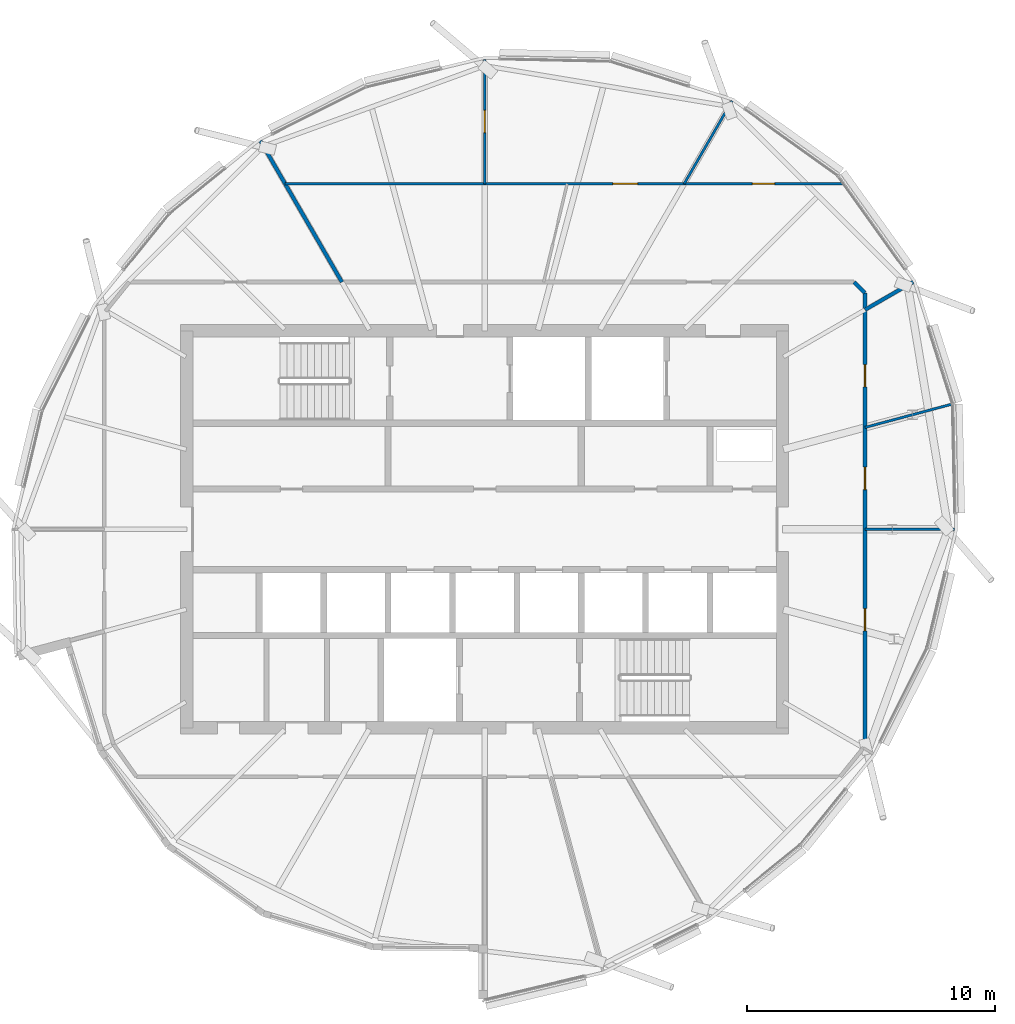
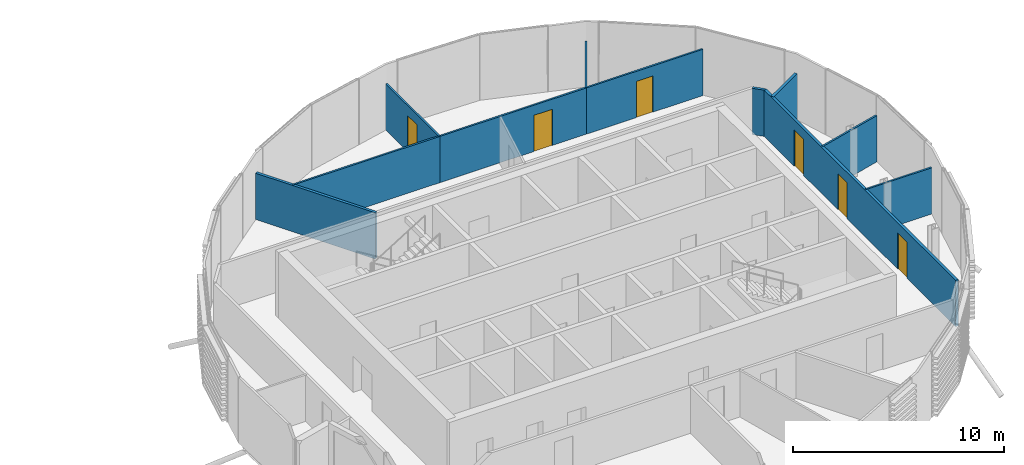
# One storey, part 21 of 34: 11 walls, 6 doors, 6 openings.
"""IFC4 building model written with IfcOpenShell, lengths in metres."""

from ifc_helpers import new_model, si_unit, direction, frame, frame_2d, origin, place, context, subcontext, project, spatial, rectangle, extrude, material, layer, layer_set, type_object, element, fill, save


model = new_model("IFC4")

# Units and contexts
model_context = context("Model", 3, precision=1e-05, world=origin(), true_north=direction((0.0, 1.0)))
body_context = subcontext(model_context, "Body", "Model", "MODEL_VIEW")
ifc_project = project(units=[si_unit("LENGTHUNIT", "METRE"), si_unit("AREAUNIT", "SQUARE_METRE"), si_unit("VOLUMEUNIT", "CUBIC_METRE"), si_unit("PLANEANGLEUNIT", "RADIAN"), si_unit("MASSUNIT", "GRAM", prefix="KILO")], contexts=[model_context])

# Site, building, storey
site_placement = place(None, origin())
site = spatial("IfcSite", under=ifc_project, at=site_placement, CompositionType="ELEMENT")
building_placement = place(site_placement, origin())
building = spatial("IfcBuilding", under=site, at=building_placement, Name="Rimbun Link Towers", CompositionType="ELEMENT")
storey_placement = place(building_placement, frame((0.0, 0.0, 252.300048828125)))
storey = spatial("IfcBuildingStorey", under=building, at=storey_placement, Name="L62", CompositionType="ELEMENT", Elevation=252.300048828125)

# Wall
ifc_material_1 = material(Name="Plasterboard on steel stud, mineral wool", Category="steel")
ifc_layer_1 = layer(ifc_material_1, 0.14990234375)
ifc_layer_set_1 = layer_set([ifc_layer_1], Name="Corridor wall EI 30 150 mm")
wall_type_1 = type_object("IfcWallType", Name="Corridor wall EI 30 150 mm", PredefinedType="PARTITIONING", material=ifc_layer_set_1)
wall_1_placement = place(storey_placement, frame((47.074951171875, 9.523681640625, 0.0), z_axis=(0.0, 0.0, 1.0), x_axis=(-0.706911150604, 0.70730235766, 0.0)))
element("IfcWall", 1, at=wall_1_placement, inside=storey, type_object=wall_type_1, Name="Corridor wall EI 30 150 mm", PredefinedType="PARTITIONING", context=body_context, shape_type="SweptSolid", body=[
    extrude(rectangle(XDim=0.6240234375, YDim=0.14990234375, at=frame_2d((0.31201171875, 0.0))), origin(), (0.0, 0.0, 1.0), 2.681884765625),
])

# Wall, openings, doors
wall_2_placement = place(storey_placement, frame((47.074951171875, 9.523681640625, 0.0), z_axis=(0.0, 0.0, 1.0), x_axis=(0.0, -1.0, 0.0)))
wall_2 = element("IfcWall", 2, at=wall_2_placement, inside=storey, type_object=wall_type_1, Name="Corridor wall EI 30 150 mm", PredefinedType="PARTITIONING", context=body_context, shape_type="SweptSolid", body=[
    extrude(rectangle(XDim=18.2158203125, YDim=0.14990234375, at=frame_2d((9.10791015625, 0.0))), origin(), (0.0, 0.0, 1.0), 2.681884765625),
])
opening_1_placement = place(wall_2_placement, frame((12.713623046875, 0.0, 0.0)))
opening_1 = element("IfcOpeningElement", 3, at=opening_1_placement, cuts=wall_2, Name="Opening D02", PredefinedType="OPENING", context=body_context, shape_type="SweptSolid", body=[
    extrude(rectangle(XDim=0.89990234375, YDim=2.10009765625, at=frame_2d((0.449951171875, 1.050048828125))), frame((0.0, 0.0849609375, 0.0), z_axis=(0.0, -1.0, 0.0), x_axis=(1.0, 0.0, 0.0)), (0.0, 0.0, 1.0), 0.169921875),
])
opening_2_placement = place(wall_2_placement, frame((7.0205078125, 0.0, 0.0)))
opening_2 = element("IfcOpeningElement", 4, at=opening_2_placement, cuts=wall_2, Name="Opening D02", PredefinedType="OPENING", context=body_context, shape_type="SweptSolid", body=[
    extrude(rectangle(XDim=0.89990234375, YDim=2.10009765625, at=frame_2d((0.449951171875, 1.050048828125))), frame((0.0, 0.0849609375, 0.0), z_axis=(0.0, -1.0, 0.0), x_axis=(1.0, 0.0, 0.0)), (0.0, 0.0, 1.0), 0.169921875),
])
opening_3_placement = place(wall_2_placement, frame((2.880615234375, 0.0, 0.0)))
opening_3 = element("IfcOpeningElement", 5, at=opening_3_placement, cuts=wall_2, Name="Opening D02", PredefinedType="OPENING", context=body_context, shape_type="SweptSolid", body=[
    extrude(rectangle(XDim=0.89990234375, YDim=2.10009765625, at=frame_2d((0.449951171875, 1.050048828125))), frame((0.0, 0.0849609375, 0.0), z_axis=(0.0, -1.0, 0.0), x_axis=(1.0, 0.0, 0.0)), (0.0, 0.0, 1.0), 0.169921875),
])
ifc_material_2 = material(Name="Fire-resisting timber door leaf", Category="wood")
door_type_1 = type_object("IfcDoorType", Name="Fire door FD30S 900", OperationType="NOTDEFINED", PredefinedType="DOOR", material=ifc_material_2)
door_1_placement = place(opening_1_placement, origin())
door_1 = element("IfcDoor", 6, at=door_1_placement, inside=storey, type_object=door_type_1, Name="Fire door FD30S 900 to Print room", OperationType="SINGLE_SWING_RIGHT", OverallHeight=2.10009765625, OverallWidth=0.89990234375, PredefinedType="DOOR", context=body_context, shape_type="SweptSolid", body=[
    extrude(rectangle(XDim=0.89990234375, YDim=2.10009765625, at=frame_2d((0.449951171875, 1.050048828125))), frame((0.0, 0.02490234375, 0.0), z_axis=(0.0, -1.0, 0.0), x_axis=(1.0, 0.0, 0.0)), (0.0, 0.0, 1.0), 0.050048828125),
])
fill(opening_1, door_1)
door_2_placement = place(opening_2_placement, origin())
door_2 = element("IfcDoor", 7, at=door_2_placement, inside=storey, type_object=door_type_1, Name="Fire door FD30S 900 to Open office", OperationType="SINGLE_SWING_LEFT", OverallHeight=2.10009765625, OverallWidth=0.89990234375, PredefinedType="DOOR", context=body_context, shape_type="SweptSolid", body=[
    extrude(rectangle(XDim=0.89990234375, YDim=2.10009765625, at=frame_2d((0.449951171875, 1.050048828125))), frame((0.0, 0.02490234375, 0.0), z_axis=(0.0, -1.0, 0.0), x_axis=(1.0, 0.0, 0.0)), (0.0, 0.0, 1.0), 0.050048828125),
])
fill(opening_2, door_2)
door_3_placement = place(opening_3_placement, origin())
door_3 = element("IfcDoor", 8, at=door_3_placement, inside=storey, type_object=door_type_1, Name="Fire door FD30S 900 to Meeting room", OperationType="SINGLE_SWING_RIGHT", OverallHeight=2.10009765625, OverallWidth=0.89990234375, PredefinedType="DOOR", context=body_context, shape_type="SweptSolid", body=[
    extrude(rectangle(XDim=0.89990234375, YDim=2.10009765625, at=frame_2d((0.449951171875, 1.050048828125))), frame((0.0, 0.02490234375, 0.0), z_axis=(0.0, -1.0, 0.0), x_axis=(1.0, 0.0, 0.0)), (0.0, 0.0, 1.0), 0.050048828125),
])
fill(opening_3, door_3)

# Walls
ifc_material_3 = material(Name="Plasterboard on steel stud", Category="steel")
ifc_layer_2 = layer(ifc_material_3, 0.10009765625)
ifc_layer_set_2 = layer_set([ifc_layer_2], Name="Plasterboard partition 100 mm")
wall_type_2 = type_object("IfcWallType", Name="Plasterboard partition 100 mm", PredefinedType="PARTITIONING", material=ifc_layer_set_2)
wall_3_placement = place(storey_placement, frame((50.689208984375, 0.0, 0.0), z_axis=(0.0, 0.0, 1.0), x_axis=(-1.0, 0.0, 0.0)))
element("IfcWall", 9, at=wall_3_placement, inside=storey, type_object=wall_type_2, Name="Plasterboard partition 100 mm", PredefinedType="PARTITIONING", context=body_context, shape_type="SweptSolid", body=[
    extrude(rectangle(XDim=3.6142578125, YDim=0.10009765625, at=frame_2d((1.80712890625, 0.0))), origin(), (0.0, 0.0, 1.0), 2.681884765625),
])
wall_4_placement = place(storey_placement, frame((50.5830078125, 5.04638671875, 0.0), z_axis=(0.0, 0.0, 1.0), x_axis=(-0.965928547864, -0.258808887833, 0.0)))
element("IfcWall", 10, at=wall_4_placement, inside=storey, type_object=wall_type_2, Name="Plasterboard partition 100 mm", PredefinedType="PARTITIONING", context=body_context, shape_type="SweptSolid", body=[
    extrude(rectangle(XDim=3.6318359375, YDim=0.10009765625, at=frame_2d((1.81591796875, 0.0))), origin(), (0.0, 0.0, 1.0), 2.681884765625),
])

# Wall, opening, door
wall_5_placement = place(storey_placement, frame((39.78955078125, 13.925048828125, 0.0), z_axis=(0.0, 0.0, 1.0), x_axis=(1.0, 0.0, 0.0)))
wall_5 = element("IfcWall", 11, at=wall_5_placement, inside=storey, type_object=wall_type_2, Name="Plasterboard partition 100 mm", PredefinedType="PARTITIONING", context=body_context, shape_type="SweptSolid", body=[
    extrude(rectangle(XDim=6.38916015625, YDim=0.10009765625, at=frame_2d((3.194580078125, 0.0))), origin(), (0.0, 0.0, 1.0), 2.681884765625),
])
opening_4_placement = place(wall_5_placement, frame((2.74462890625, 0.0, 0.0)))
opening_4 = element("IfcOpeningElement", 12, at=opening_4_placement, cuts=wall_5, Name="Opening D04", PredefinedType="OPENING", context=body_context, shape_type="SweptSolid", body=[
    extrude(rectangle(XDim=0.89990234375, YDim=2.10009765625, at=frame_2d((0.449951171875, 1.050048828125))), frame((0.0, 0.06005859375, 0.0), z_axis=(0.0, -1.0, 0.0), x_axis=(1.0, 0.0, 0.0)), (0.0, 0.0, 1.0), 0.1201171875),
])
ifc_material_4 = material(Name="Timber door leaf", Category="wood")
door_type_2 = type_object("IfcDoorType", Name="Flush door 900", OperationType="NOTDEFINED", PredefinedType="DOOR", material=ifc_material_4)
door_4_placement = place(opening_4_placement, origin())
door_4 = element("IfcDoor", 13, at=door_4_placement, inside=storey, type_object=door_type_2, Name="Flush door 900 to Executive office", OperationType="SINGLE_SWING_RIGHT", OverallHeight=2.10009765625, OverallWidth=0.89990234375, PredefinedType="DOOR", context=body_context, shape_type="SweptSolid", body=[
    extrude(rectangle(XDim=0.89990234375, YDim=2.10009765625, at=frame_2d((0.449951171875, 1.050048828125))), frame((0.0, 0.02490234375, 0.0), z_axis=(0.0, -1.0, 0.0), x_axis=(1.0, 0.0, 0.0)), (0.0, 0.0, 1.0), 0.050048828125),
])
fill(opening_4, door_4)

wall_6_placement = place(storey_placement, frame((31.75, 13.925048828125, 0.0), z_axis=(0.0, 0.0, 1.0), x_axis=(1.0, 0.0, 0.0)))
wall_6 = element("IfcWall", 14, at=wall_6_placement, inside=storey, type_object=wall_type_2, Name="Plasterboard partition 100 mm", PredefinedType="PARTITIONING", context=body_context, shape_type="SweptSolid", body=[
    extrude(rectangle(XDim=8.03955078125, YDim=0.10009765625, at=frame_2d((4.019775390625, 0.0))), origin(), (0.0, 0.0, 1.0), 2.681884765625),
])
opening_5_placement = place(wall_6_placement, frame((5.16650390625, 0.0, 0.0)))
opening_5 = element("IfcOpeningElement", 15, at=opening_5_placement, cuts=wall_6, Name="Opening D03", PredefinedType="OPENING", context=body_context, shape_type="SweptSolid", body=[
    extrude(rectangle(XDim=1.0, YDim=2.10009765625, at=frame_2d((0.5, 1.050048828125))), frame((0.0, 0.06005859375, 0.0), z_axis=(0.0, -1.0, 0.0), x_axis=(1.0, 0.0, 0.0)), (0.0, 0.0, 1.0), 0.1201171875),
])
ifc_material_5 = material(Name="Timber door leaf", Category="wood")
door_type_3 = type_object("IfcDoorType", Name="Flush door 1000", OperationType="NOTDEFINED", PredefinedType="DOOR", material=ifc_material_5)
door_5_placement = place(opening_5_placement, origin())
door_5 = element("IfcDoor", 16, at=door_5_placement, inside=storey, type_object=door_type_3, Name="Flush door 1000 to Open office", OperationType="SINGLE_SWING_LEFT", OverallHeight=2.10009765625, OverallWidth=1.0, PredefinedType="DOOR", context=body_context, shape_type="SweptSolid", body=[
    extrude(rectangle(XDim=1.0, YDim=2.10009765625, at=frame_2d((0.5, 1.050048828125))), frame((0.0, 0.02490234375, 0.0), z_axis=(0.0, -1.0, 0.0), x_axis=(1.0, 0.0, 0.0)), (0.0, 0.0, 1.0), 0.050048828125),
])
fill(opening_5, door_5)

# Walls
wall_7_placement = place(storey_placement, frame((31.75, 13.925048828125, 0.0), z_axis=(0.0, 0.0, 1.0), x_axis=(-1.0, 0.0, 0.0)))
element("IfcWall", 17, at=wall_7_placement, inside=storey, type_object=wall_type_2, Name="Plasterboard partition 100 mm", PredefinedType="PARTITIONING", context=body_context, shape_type="SweptSolid", body=[
    extrude(rectangle(XDim=8.039794921875, YDim=0.10009765625, at=frame_2d((4.02001953125, 0.0))), origin(), (0.0, 0.0, 1.0), 2.681884765625),
])
wall_8_placement = place(storey_placement, frame((41.71923828125, 17.267333984375, 0.0), z_axis=(0.0, 0.0, 1.0), x_axis=(-0.500003549559, -0.866023354436, 0.0)))
element("IfcWall", 18, at=wall_8_placement, inside=storey, type_object=wall_type_2, Name="Plasterboard partition 100 mm", PredefinedType="PARTITIONING", context=body_context, shape_type="SweptSolid", body=[
    extrude(rectangle(XDim=3.859375, YDim=0.10009765625, at=frame_2d((1.9296875, 0.0))), origin(), (0.0, 0.0, 1.0), 2.681884765625),
])

# Wall, opening, door
wall_9_placement = place(storey_placement, frame((31.75, 13.925048828125, 0.0), z_axis=(0.0, 0.0, 1.0), x_axis=(0.0, 1.0, 0.0)))
wall_9 = element("IfcWall", 19, at=wall_9_placement, inside=storey, type_object=wall_type_2, Name="Plasterboard partition 100 mm", PredefinedType="PARTITIONING", context=body_context, shape_type="SweptSolid", body=[
    extrude(rectangle(XDim=5.01416015625, YDim=0.10009765625, at=frame_2d((2.507080078125, 0.0))), origin(), (0.0, 0.0, 1.0), 2.681884765625),
])
opening_6_placement = place(wall_9_placement, frame((2.05712890625, 0.0, 0.0)))
opening_6 = element("IfcOpeningElement", 20, at=opening_6_placement, cuts=wall_9, Name="Opening D04", PredefinedType="OPENING", context=body_context, shape_type="SweptSolid", body=[
    extrude(rectangle(XDim=0.89990234375, YDim=2.10009765625, at=frame_2d((0.449951171875, 1.050048828125))), frame((0.0, 0.06005859375, 0.0), z_axis=(0.0, -1.0, 0.0), x_axis=(1.0, 0.0, 0.0)), (0.0, 0.0, 1.0), 0.1201171875),
])
door_6_placement = place(opening_6_placement, origin())
door_6 = element("IfcDoor", 21, at=door_6_placement, inside=storey, type_object=door_type_2, Name="Flush door 900 to Boardroom", OperationType="SINGLE_SWING_RIGHT", OverallHeight=2.10009765625, OverallWidth=0.89990234375, PredefinedType="DOOR", context=body_context, shape_type="SweptSolid", body=[
    extrude(rectangle(XDim=0.89990234375, YDim=2.10009765625, at=frame_2d((0.449951171875, 1.050048828125))), frame((0.0, 0.02490234375, 0.0), z_axis=(0.0, -1.0, 0.0), x_axis=(1.0, 0.0, 0.0)), (0.0, 0.0, 1.0), 0.050048828125),
])
fill(opening_6, door_6)

# Walls
ifc_material_6 = material(Name="Plasterboard on steel stud, mineral wool", Category="steel")
ifc_layer_3 = layer(ifc_material_6, 0.14990234375)
ifc_layer_set_3 = layer_set([ifc_layer_3], Name="Tenancy separation wall EI 60 150 mm")
wall_type_3 = type_object("IfcWallType", Name="Tenancy separation wall EI 60 150 mm", PredefinedType="PARTITIONING", material=ifc_layer_set_3)
wall_10_placement = place(storey_placement, frame((25.99658203125, 9.965087890625, 0.0), z_axis=(0.0, 0.0, 1.0), x_axis=(-0.499995874514, 0.866027785622, 0.0)))
element("IfcWall", 22, at=wall_10_placement, inside=storey, type_object=wall_type_3, Name="Tenancy separation wall EI 60 150 mm", PredefinedType="PARTITIONING", context=body_context, shape_type="SweptSolid", body=[
    extrude(rectangle(XDim=6.56982421875, YDim=0.14990234375, at=frame_2d((3.284912109375, 0.0))), origin(), (0.0, 0.0, 1.0), 2.681884765625),
])
wall_11_placement = place(storey_placement, frame((47.074951171875, 8.847900390625, 0.0), z_axis=(0.0, 0.0, 1.0), x_axis=(0.866044197965, 0.499967446111, 0.0)))
element("IfcWall", 23, at=wall_11_placement, inside=storey, type_object=wall_type_3, Name="Tenancy separation wall EI 60 150 mm", PredefinedType="PARTITIONING", context=body_context, shape_type="SweptSolid", body=[
    extrude(rectangle(XDim=2.242919921875, YDim=0.14990234375, at=frame_2d((1.12158203125, 0.0))), origin(), (0.0, 0.0, 1.0), 2.681884765625),
])

save(model, "model.ifc")
